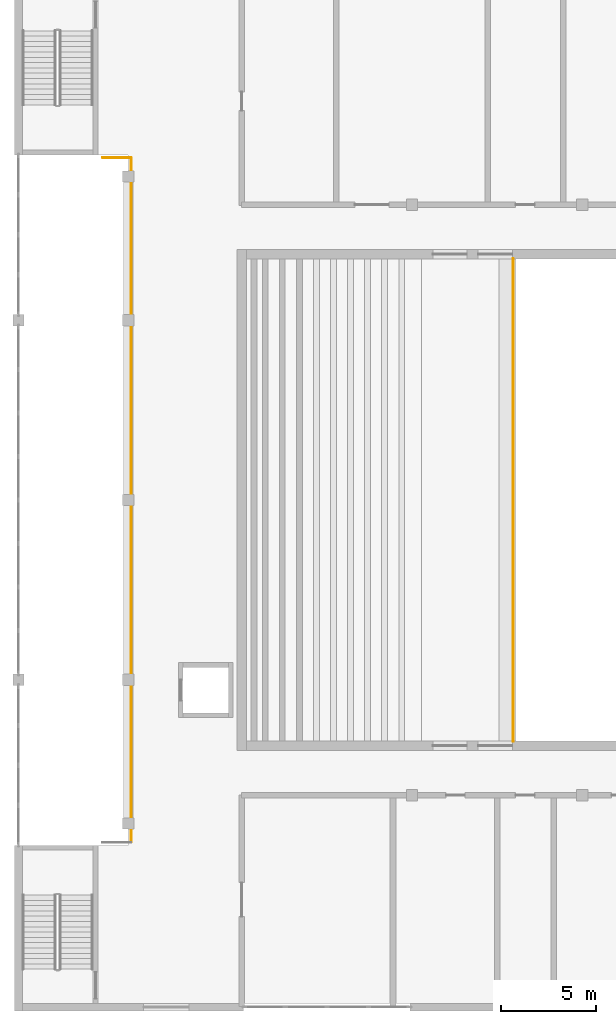
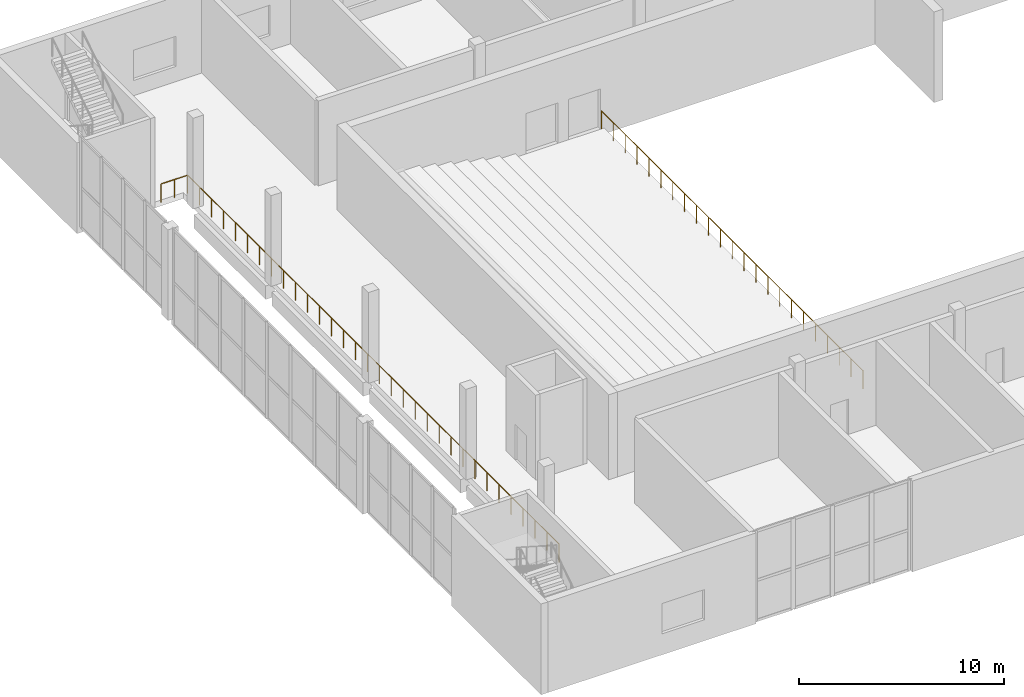
# One storey, part 40 of 44: 3 railings.
"""IFC4 building model written with IfcOpenShell, lengths in metres."""

from ifc_helpers import new_model, si_unit, direction, frame, origin, origin_2d, place, context, subcontext, project, spatial, circle, extrude, material, type_object, element, save


model = new_model("IFC4")

# Units and contexts
model_context = context("Model", 3, precision=1e-05, world=origin(), true_north=direction((0.0, 1.0)))
body_context = subcontext(model_context, "Body", "Model", "MODEL_VIEW")
ifc_project = project(units=[si_unit("LENGTHUNIT", "METRE"), si_unit("AREAUNIT", "SQUARE_METRE"), si_unit("VOLUMEUNIT", "CUBIC_METRE"), si_unit("PLANEANGLEUNIT", "RADIAN"), si_unit("MASSUNIT", "GRAM", prefix="KILO")], contexts=[model_context])

# Site, building, storey
site_placement = place(None, origin())
site = spatial("IfcSite", under=ifc_project, at=site_placement, CompositionType="ELEMENT")
building_placement = place(site_placement, origin())
building = spatial("IfcBuilding", under=site, at=building_placement, Name="Hunhe Ridgeline Campus", CompositionType="ELEMENT")
storey_placement = place(building_placement, frame((0.0, 0.0, 6.0)))
storey = spatial("IfcBuildingStorey", under=building, at=storey_placement, Name="L01", CompositionType="ELEMENT", Elevation=6.0)

# Railings
ifc_material = material(Name="Glass and steel", Category="steel")
railing_type = type_object("IfcRailingType", Name="Hall glass guard 1100", PredefinedType="GUARDRAIL", material=ifc_material)
railing_1_placement = place(storey_placement, frame((176.35009765625, 36.75, 0.0)))
element("IfcRailing", 1, at=railing_1_placement, inside=storey, type_object=railing_type, Name="Circle tier 1 front guard", PredefinedType="GUARDRAIL", context=body_context, shape_type="SweptSolid", body=[
    extrude(circle(Radius=0.02392578125, at=origin_2d()), frame((0.0, 0.0, 1.076171875), z_axis=(0.0, 1.0, 0.0), x_axis=(-1.0, 0.0, 0.0)), (0.0, 0.0, 1.0), 25.5),
    extrude(circle(Radius=0.02099609375, at=origin_2d()), origin(), (0.0, 0.0, 1.0), 1.052001953125),
    extrude(circle(Radius=0.02099609375, at=origin_2d()), frame((0.0, 1.1591796875, 0.0)), (0.0, 0.0, 1.0), 1.052001953125),
    extrude(circle(Radius=0.02099609375, at=origin_2d()), frame((0.0, 2.318115234375, 0.0)), (0.0, 0.0, 1.0), 1.052001953125),
    extrude(circle(Radius=0.02099609375, at=origin_2d()), frame((0.0, 3.477294921875, 0.0)), (0.0, 0.0, 1.0), 1.052001953125),
    extrude(circle(Radius=0.02099609375, at=origin_2d()), frame((0.0, 4.636474609375, 0.0)), (0.0, 0.0, 1.0), 1.052001953125),
    extrude(circle(Radius=0.02099609375, at=origin_2d()), frame((0.0, 5.79541015625, 0.0)), (0.0, 0.0, 1.0), 1.052001953125),
    extrude(circle(Radius=0.02099609375, at=origin_2d()), frame((0.0, 6.95458984375, 0.0)), (0.0, 0.0, 1.0), 1.052001953125),
    extrude(circle(Radius=0.02099609375, at=origin_2d()), frame((0.0, 8.113525390625, 0.0)), (0.0, 0.0, 1.0), 1.052001953125),
    extrude(circle(Radius=0.02099609375, at=origin_2d()), frame((0.0, 9.272705078125, 0.0)), (0.0, 0.0, 1.0), 1.052001953125),
    extrude(circle(Radius=0.02099609375, at=origin_2d()), frame((0.0, 10.431884765625, 0.0)), (0.0, 0.0, 1.0), 1.052001953125),
    extrude(circle(Radius=0.02099609375, at=origin_2d()), frame((0.0, 11.5908203125, 0.0)), (0.0, 0.0, 1.0), 1.052001953125),
    extrude(circle(Radius=0.02099609375, at=origin_2d()), frame((0.0, 12.75, 0.0)), (0.0, 0.0, 1.0), 1.052001953125),
    extrude(circle(Radius=0.02099609375, at=origin_2d()), frame((0.0, 13.9091796875, 0.0)), (0.0, 0.0, 1.0), 1.052001953125),
    extrude(circle(Radius=0.02099609375, at=origin_2d()), frame((0.0, 15.068115234375, 0.0)), (0.0, 0.0, 1.0), 1.052001953125),
    extrude(circle(Radius=0.02099609375, at=origin_2d()), frame((0.0, 16.227294921875, 0.0)), (0.0, 0.0, 1.0), 1.052001953125),
    extrude(circle(Radius=0.02099609375, at=origin_2d()), frame((0.0, 17.386474609375, 0.0)), (0.0, 0.0, 1.0), 1.052001953125),
    extrude(circle(Radius=0.02099609375, at=origin_2d()), frame((0.0, 18.54541015625, 0.0)), (0.0, 0.0, 1.0), 1.052001953125),
    extrude(circle(Radius=0.02099609375, at=origin_2d()), frame((0.0, 19.70458984375, 0.0)), (0.0, 0.0, 1.0), 1.052001953125),
    extrude(circle(Radius=0.02099609375, at=origin_2d()), frame((0.0, 20.863525390625, 0.0)), (0.0, 0.0, 1.0), 1.052001953125),
    extrude(circle(Radius=0.02099609375, at=origin_2d()), frame((0.0, 22.022705078125, 0.0)), (0.0, 0.0, 1.0), 1.052001953125),
    extrude(circle(Radius=0.02099609375, at=origin_2d()), frame((0.0, 23.181884765625, 0.0)), (0.0, 0.0, 1.0), 1.052001953125),
    extrude(circle(Radius=0.02099609375, at=origin_2d()), frame((0.0, 24.3408203125, 0.0)), (0.0, 0.0, 1.0), 1.052001953125),
    extrude(circle(Radius=0.02099609375, at=origin_2d()), frame((0.0, 25.5, 0.0)), (0.0, 0.0, 1.0), 1.052001953125),
])
railing_2_placement = place(storey_placement, frame((156.14990234375, 31.39990234375, 0.0)))
element("IfcRailing", 2, at=railing_2_placement, inside=storey, type_object=railing_type, Name="L01 atrium guard east", PredefinedType="GUARDRAIL", context=body_context, shape_type="SweptSolid", body=[
    extrude(circle(Radius=0.02392578125, at=origin_2d()), frame((0.0, 0.0, 1.076171875), z_axis=(0.0, 1.0, 0.0), x_axis=(-1.0, 0.0, 0.0)), (0.0, 0.0, 1.0), 36.2001953125),
    extrude(circle(Radius=0.02099609375, at=origin_2d()), origin(), (0.0, 0.0, 1.0), 1.052001953125),
    extrude(circle(Radius=0.02099609375, at=origin_2d()), frame((0.0, 1.167724609375, 0.0)), (0.0, 0.0, 1.0), 1.052001953125),
    extrude(circle(Radius=0.02099609375, at=origin_2d()), frame((0.0, 2.33544921875, 0.0)), (0.0, 0.0, 1.0), 1.052001953125),
    extrude(circle(Radius=0.02099609375, at=origin_2d()), frame((0.0, 3.503173828125, 0.0)), (0.0, 0.0, 1.0), 1.052001953125),
    extrude(circle(Radius=0.02099609375, at=origin_2d()), frame((0.0, 4.6708984375, 0.0)), (0.0, 0.0, 1.0), 1.052001953125),
    extrude(circle(Radius=0.02099609375, at=origin_2d()), frame((0.0, 5.838623046875, 0.0)), (0.0, 0.0, 1.0), 1.052001953125),
    extrude(circle(Radius=0.02099609375, at=origin_2d()), frame((0.0, 7.006591796875, 0.0)), (0.0, 0.0, 1.0), 1.052001953125),
    extrude(circle(Radius=0.02099609375, at=origin_2d()), frame((0.0, 8.17431640625, 0.0)), (0.0, 0.0, 1.0), 1.052001953125),
    extrude(circle(Radius=0.02099609375, at=origin_2d()), frame((0.0, 9.342041015625, 0.0)), (0.0, 0.0, 1.0), 1.052001953125),
    extrude(circle(Radius=0.02099609375, at=origin_2d()), frame((0.0, 10.509765625, 0.0)), (0.0, 0.0, 1.0), 1.052001953125),
    extrude(circle(Radius=0.02099609375, at=origin_2d()), frame((0.0, 11.677490234375, 0.0)), (0.0, 0.0, 1.0), 1.052001953125),
    extrude(circle(Radius=0.02099609375, at=origin_2d()), frame((0.0, 12.84521484375, 0.0)), (0.0, 0.0, 1.0), 1.052001953125),
    extrude(circle(Radius=0.02099609375, at=origin_2d()), frame((0.0, 14.012939453125, 0.0)), (0.0, 0.0, 1.0), 1.052001953125),
    extrude(circle(Radius=0.02099609375, at=origin_2d()), frame((0.0, 15.1806640625, 0.0)), (0.0, 0.0, 1.0), 1.052001953125),
    extrude(circle(Radius=0.02099609375, at=origin_2d()), frame((0.0, 16.348388671875, 0.0)), (0.0, 0.0, 1.0), 1.052001953125),
    extrude(circle(Radius=0.02099609375, at=origin_2d()), frame((0.0, 17.51611328125, 0.0)), (0.0, 0.0, 1.0), 1.052001953125),
    extrude(circle(Radius=0.02099609375, at=origin_2d()), frame((0.0, 18.68408203125, 0.0)), (0.0, 0.0, 1.0), 1.052001953125),
    extrude(circle(Radius=0.02099609375, at=origin_2d()), frame((0.0, 19.851806640625, 0.0)), (0.0, 0.0, 1.0), 1.052001953125),
    extrude(circle(Radius=0.02099609375, at=origin_2d()), frame((0.0, 21.01953125, 0.0)), (0.0, 0.0, 1.0), 1.052001953125),
    extrude(circle(Radius=0.02099609375, at=origin_2d()), frame((0.0, 22.187255859375, 0.0)), (0.0, 0.0, 1.0), 1.052001953125),
    extrude(circle(Radius=0.02099609375, at=origin_2d()), frame((0.0, 23.35498046875, 0.0)), (0.0, 0.0, 1.0), 1.052001953125),
    extrude(circle(Radius=0.02099609375, at=origin_2d()), frame((0.0, 24.522705078125, 0.0)), (0.0, 0.0, 1.0), 1.052001953125),
    extrude(circle(Radius=0.02099609375, at=origin_2d()), frame((0.0, 25.6904296875, 0.0)), (0.0, 0.0, 1.0), 1.052001953125),
    extrude(circle(Radius=0.02099609375, at=origin_2d()), frame((0.0, 26.858154296875, 0.0)), (0.0, 0.0, 1.0), 1.052001953125),
    extrude(circle(Radius=0.02099609375, at=origin_2d()), frame((0.0, 28.02587890625, 0.0)), (0.0, 0.0, 1.0), 1.052001953125),
    extrude(circle(Radius=0.02099609375, at=origin_2d()), frame((0.0, 29.193603515625, 0.0)), (0.0, 0.0, 1.0), 1.052001953125),
    extrude(circle(Radius=0.02099609375, at=origin_2d()), frame((0.0, 30.361572265625, 0.0)), (0.0, 0.0, 1.0), 1.052001953125),
    extrude(circle(Radius=0.02099609375, at=origin_2d()), frame((0.0, 31.529296875, 0.0)), (0.0, 0.0, 1.0), 1.052001953125),
    extrude(circle(Radius=0.02099609375, at=origin_2d()), frame((0.0, 32.697021484375, 0.0)), (0.0, 0.0, 1.0), 1.052001953125),
    extrude(circle(Radius=0.02099609375, at=origin_2d()), frame((0.0, 33.86474609375, 0.0)), (0.0, 0.0, 1.0), 1.052001953125),
    extrude(circle(Radius=0.02099609375, at=origin_2d()), frame((0.0, 35.032470703125, 0.0)), (0.0, 0.0, 1.0), 1.052001953125),
    extrude(circle(Radius=0.02099609375, at=origin_2d()), frame((0.0, 36.2001953125, 0.0)), (0.0, 0.0, 1.0), 1.052001953125),
])
railing_3_placement = place(storey_placement, frame((154.64990234375, 67.60009765625, 0.0)))
element("IfcRailing", 3, at=railing_3_placement, inside=storey, type_object=railing_type, Name="L01 atrium guard north", PredefinedType="GUARDRAIL", context=body_context, shape_type="SweptSolid", body=[
    extrude(circle(Radius=0.02392578125, at=origin_2d()), frame((0.0, 0.0, 1.076171875), z_axis=(1.0, 0.0, 0.0), x_axis=(0.0, 1.0, 0.0)), (0.0, 0.0, 1.0), 1.5),
    extrude(circle(Radius=0.02099609375, at=origin_2d()), origin(), (0.0, 0.0, 1.0), 1.052001953125),
    extrude(circle(Radius=0.02099609375, at=origin_2d()), frame((0.75, 0.0, 0.0)), (0.0, 0.0, 1.0), 1.052001953125),
    extrude(circle(Radius=0.02099609375, at=origin_2d()), frame((1.5, 0.0, 0.0)), (0.0, 0.0, 1.0), 1.052001953125),
])

save(model, "model.ifc")
